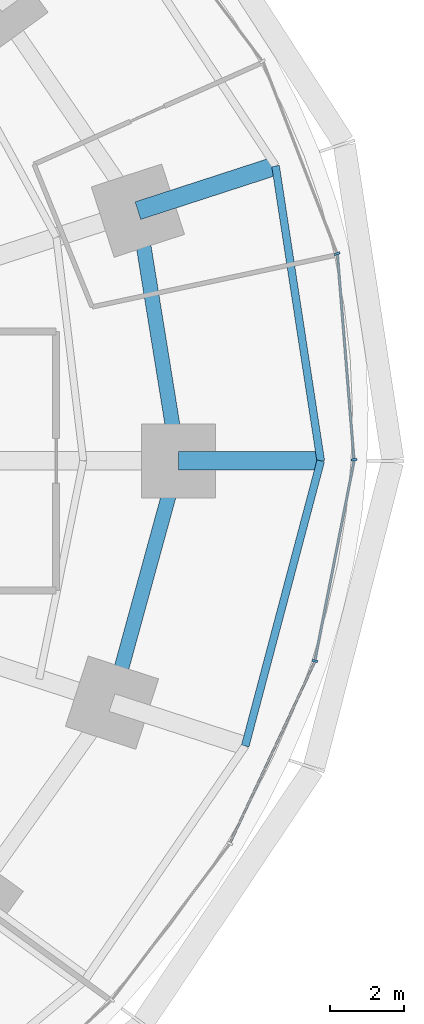
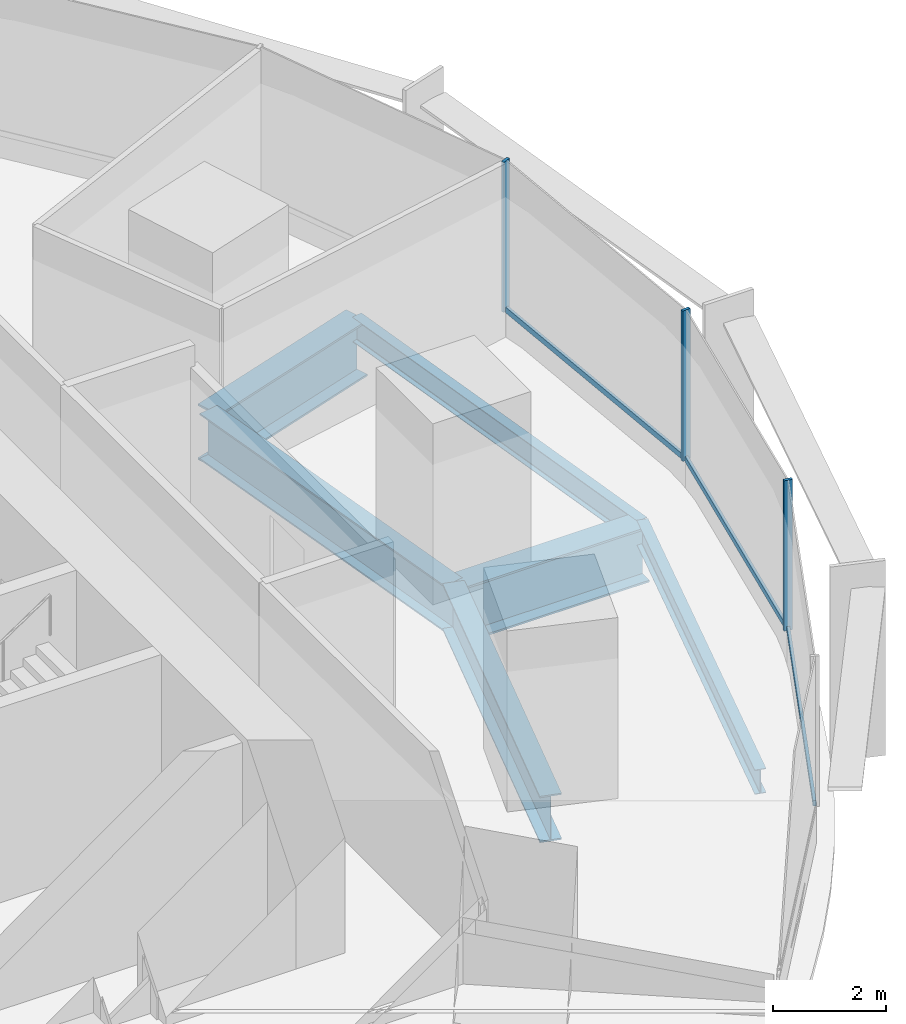
# One storey, part 6 of 15: 6 beams, 6 members, 2 elements without a shape of their own.
"""IFC4 building model written with IfcOpenShell, lengths in metres."""

from ifc_helpers import new_model, si_unit, direction, frame, origin, origin_2d, place, context, subcontext, project, spatial, rectangle, i_section, extrude, material, material_profile, profile_set, type_object, element, aggregate, save


model = new_model("IFC4")

# Units and contexts
model_context = context("Model", 3, precision=1e-05, world=origin(), true_north=direction((0.0, 1.0)))
body_context = subcontext(model_context, "Body", "Model", "MODEL_VIEW")
ifc_project = project(units=[si_unit("LENGTHUNIT", "METRE"), si_unit("AREAUNIT", "SQUARE_METRE"), si_unit("VOLUMEUNIT", "CUBIC_METRE"), si_unit("PLANEANGLEUNIT", "RADIAN"), si_unit("MASSUNIT", "GRAM", prefix="KILO")], contexts=[model_context])

# Site, building, storey
site_placement = place(None, origin())
site = spatial("IfcSite", under=ifc_project, at=site_placement, CompositionType="ELEMENT")
building_placement = place(site_placement, origin())
building = spatial("IfcBuilding", under=site, at=building_placement, Name="Marramba Exchange Tower", CompositionType="ELEMENT")
storey_placement = place(building_placement, frame((0.0, 0.0, 70.0)))
storey = spatial("IfcBuildingStorey", under=building, at=storey_placement, Name="L16", CompositionType="ELEMENT", Elevation=70.0)

# Beams
ifc_material_1 = material(Name="Steel AS/NZS 3679.2 grade 300", Category="steel")
ifc_material_profile_1 = material_profile(ifc_material_1, i_section(OverallWidth=0.5, OverallDepth=1.199951171875, WebThickness=0.01611328125, FlangeThickness=0.0400390625, at=origin_2d()), Name="1200WB455")
ifc_profile_set_1 = profile_set([ifc_material_profile_1], Name="Steel AS/NZS 3679.2 grade 300")
beam_type_1 = type_object("IfcBeamType", Name="Cantilever girder 1200WB455", PredefinedType="BEAM", material=ifc_profile_set_1)
beam_1_placement = place(storey_placement, frame((21.89990234375, 0.0, -0.760009765625), z_axis=(1.0, 0.0, 0.0), x_axis=(0.0, 1.0, 0.0)))
element("IfcBeam", 1, at=beam_1_placement, inside=storey, type_object=beam_type_1, Name="Cantilever girder L16 TC01", PredefinedType="BEAM", context=body_context, shape_type="SweptSolid", body=[
    extrude(i_section(OverallWidth=0.5, OverallDepth=1.199951171875, WebThickness=0.01611328125, FlangeThickness=0.0400390625, at=origin_2d()), origin(), (0.0, 0.0, 1.0), 3.85009765625),
])
beam_2_placement = place(storey_placement, frame((20.808349609375, 6.760986328125, -0.760009765625), z_axis=(0.951058833549, 0.309009862508, 0.0), x_axis=(-0.309009862508, 0.951058833549, 0.0)))
element("IfcBeam", 2, at=beam_2_placement, inside=storey, type_object=beam_type_1, Name="Cantilever girder L16 TC02", PredefinedType="BEAM", context=body_context, shape_type="SweptSolid", body=[
    extrude(i_section(OverallWidth=0.5, OverallDepth=1.199951171875, WebThickness=0.01611328125, FlangeThickness=0.0400390625, at=origin_2d()), origin(), (0.0, 0.0, 1.0), 3.91162109375),
])
ifc_material_profile_2 = material_profile(ifc_material_1, i_section(OverallWidth=0.39990234375, OverallDepth=1.0, WebThickness=0.01611328125, FlangeThickness=0.031982421875, at=origin_2d()), Name="1000WB322")
ifc_profile_set_2 = profile_set([ifc_material_profile_2], Name="Steel AS/NZS 3679.2 grade 300")
beam_type_2 = type_object("IfcBeamType", Name="Ring beam 1000WB322", PredefinedType="SPANDREL", material=ifc_profile_set_2)
beam_3_placement = place(storey_placement, frame((21.89990234375, 0.0, -0.659912109375), z_axis=(-0.159384865399, 0.987216523708, 0.0), x_axis=(-0.987216523708, -0.159384865399, 0.0)))
element("IfcBeam", 3, at=beam_3_placement, inside=storey, type_object=beam_type_2, Name="Ring beam L16 TC01-TC02", PredefinedType="SPANDREL", context=body_context, shape_type="SweptSolid", body=[
    extrude(i_section(OverallWidth=0.39990234375, OverallDepth=1.0, WebThickness=0.01611328125, FlangeThickness=0.031982421875, at=origin_2d()), origin(), (0.0, 0.0, 1.0), 6.8486328125),
])
beam_4_placement = place(storey_placement, frame((20.109375, -6.533935546875, -0.659912109375), z_axis=(0.264291166956, 0.964442937176, 0.0), x_axis=(-0.964442937176, 0.264291166956, 0.0)))
element("IfcBeam", 4, at=beam_4_placement, inside=storey, type_object=beam_type_2, Name="Ring beam L16 TC20-TC01", PredefinedType="SPANDREL", context=body_context, shape_type="SweptSolid", body=[
    extrude(i_section(OverallWidth=0.39990234375, OverallDepth=1.0, WebThickness=0.01611328125, FlangeThickness=0.031982421875, at=origin_2d()), origin(), (0.0, 0.0, 1.0), 6.77490234375),
])
ifc_material_2 = material(Name="Steel AS/NZS 3679.1 grade 300", Category="steel")
ifc_material_profile_3 = material_profile(ifc_material_2, i_section(OverallWidth=0.208984375, OverallDepth=0.528076171875, WebThickness=0.009521484375, FlangeThickness=0.01318359375, FilletRadius=0.013916015625, at=origin_2d()), Name="530UB82.0")
ifc_profile_set_3 = profile_set([ifc_material_profile_3], Name="Steel AS/NZS 3679.1 grade 300")
beam_type_3 = type_object("IfcBeamType", Name="Slab edge beam 530UB82.0", PredefinedType="SPANDREL", material=ifc_profile_set_3)
beam_5_placement = place(storey_placement, frame((25.75, 0.0, -0.424072265625), z_axis=(-0.151490591645, 0.988458699513, 0.0), x_axis=(-0.988458699513, -0.151490591645, 0.0)))
element("IfcBeam", 5, at=beam_5_placement, inside=storey, type_object=beam_type_3, Name="Slab edge beam L16 TC01-TC02", PredefinedType="SPANDREL", context=body_context, shape_type="SweptSolid", body=[
    extrude(i_section(OverallWidth=0.208984375, OverallDepth=0.528076171875, WebThickness=0.009521484375, FlangeThickness=0.01318359375, FilletRadius=0.013916015625, at=origin_2d()), origin(), (0.0, 0.0, 1.0), 8.062744140625),
])
beam_6_placement = place(storey_placement, frame((23.709716796875, -7.703857421875, -0.424072265625), z_axis=(0.25601296674, 0.966673347549, 0.0), x_axis=(-0.966673347549, 0.25601296674, 0.0)))
element("IfcBeam", 6, at=beam_6_placement, inside=storey, type_object=beam_type_3, Name="Slab edge beam L16 TC20-TC01", PredefinedType="SPANDREL", context=body_context, shape_type="SweptSolid", body=[
    extrude(i_section(OverallWidth=0.208984375, OverallDepth=0.528076171875, WebThickness=0.009521484375, FlangeThickness=0.01318359375, FilletRadius=0.013916015625, at=origin_2d()), origin(), (0.0, 0.0, 1.0), 7.969482421875),
])

# Curtain wall, members
ifc_material_3 = material(Name="Aluminium framing, bronze anodised", Category="aluminium")
curtain_wall_type = type_object("IfcCurtainWallType", Name="Trading floor ribbon curtain wall", PredefinedType="USERDEFINED", material=ifc_material_3)
curtain_wall_1_placement = place(storey_placement, origin())
curtain_wall_1 = element("IfcCurtainWall", 7, at=curtain_wall_1_placement, inside=storey, type_object=curtain_wall_type, Name="Curtain wall CW3 L16 F01-F05", ObjectType="RIBBON CURTAIN WALL", PredefinedType="USERDEFINED")
ifc_material_4 = material(Name="Aluminium mullion, bronze anodised", Category="aluminium")
ifc_material_profile_4 = material_profile(ifc_material_4, rectangle(XDim=0.159912109375, YDim=0.06005859375, at=origin_2d()), Name="CW3 mullion 60x160")
ifc_profile_set_4 = profile_set([ifc_material_profile_4], Name="Aluminium mullion, bronze anodised")
member_type_1 = type_object("IfcMemberType", Name="Trading floor ribbon curtain wall mullion", PredefinedType="MULLION", material=ifc_profile_set_4)
member_1_placement = place(storey_placement, frame((26.647705078125, 0.02978515625, 0.800048828125), z_axis=(0.0, 0.0, 1.0), x_axis=(-0.996772736434, -0.080275225953, 0.0)))
member_1 = element("IfcMember", 8, at=member_1_placement, type_object=member_type_1, Name="CW3 mullion 1", PredefinedType="MULLION", context=body_context, shape_type="SweptSolid", body=[
    extrude(rectangle(XDim=0.159912109375, YDim=0.06005859375, at=origin_2d()), origin(), (0.0, 0.0, 1.0), 3.239990234375),
])
member_2_placement = place(storey_placement, frame((26.190673828125, 5.597412109375, 0.800048828125), z_axis=(0.0, 0.0, 1.0), x_axis=(-0.933135256626, -0.359525510698, 0.0)))
member_2 = element("IfcMember", 9, at=member_2_placement, type_object=member_type_1, Name="CW3 mullion 1", PredefinedType="MULLION", context=body_context, shape_type="SweptSolid", body=[
    extrude(rectangle(XDim=0.159912109375, YDim=0.06005859375, at=origin_2d()), origin(), (0.0, 0.0, 1.0), 3.239990234375),
])

# Curtain wall, member
curtain_wall_2_placement = place(storey_placement, origin())
curtain_wall_2 = element("IfcCurtainWall", 10, at=curtain_wall_2_placement, inside=storey, type_object=curtain_wall_type, Name="Curtain wall CW3 L16 F26-F30", ObjectType="RIBBON CURTAIN WALL", PredefinedType="USERDEFINED")
member_3_placement = place(storey_placement, frame((25.59033203125, -5.40869140625, 0.800048828125), z_axis=(0.0, 0.0, 1.0), x_axis=(-0.981346261612, 0.1922485756, 0.0)))
member_3 = element("IfcMember", 11, at=member_3_placement, type_object=member_type_1, Name="CW3 mullion 1", PredefinedType="MULLION", context=body_context, shape_type="SweptSolid", body=[
    extrude(rectangle(XDim=0.159912109375, YDim=0.06005859375, at=origin_2d()), origin(), (0.0, 0.0, 1.0), 3.239990234375),
])

# Member
ifc_material_5 = material(Name="Aluminium transom, bronze anodised", Category="aluminium")
ifc_material_profile_5 = material_profile(ifc_material_5, rectangle(XDim=0.06005859375, YDim=0.1201171875, at=origin_2d()), Name="CW3 transom 60x120")
ifc_profile_set_5 = profile_set([ifc_material_profile_5], Name="Aluminium transom, bronze anodised")
member_type_2 = type_object("IfcMemberType", Name="Trading floor ribbon curtain wall transom", PredefinedType="USERDEFINED", material=ifc_profile_set_5)
member_4_placement = place(storey_placement, frame((26.645263671875, 0.059814453125, 0.830078125), z_axis=(-0.080299960686, 0.99677074411, 0.0), x_axis=(-0.99677074411, -0.080299960686, 0.0)))
member_4 = element("IfcMember", 12, at=member_4_placement, type_object=member_type_2, Name="CW3 sill transom", ObjectType="TRANSOM", PredefinedType="USERDEFINED", context=body_context, shape_type="SweptSolid", body=[
    extrude(rectangle(XDim=0.06005859375, YDim=0.1201171875, at=origin_2d()), origin(), (0.0, 0.0, 1.0), 5.52734375),
])

aggregate(curtain_wall_1, [member_1, member_4, member_2])

member_5_placement = place(storey_placement, frame((23.306640625, -10.31103515625, 0.830078125), z_axis=(0.423511514213, 0.905890720412, 0.0), x_axis=(-0.905890720412, 0.423511514213, 0.0)))
member_5 = element("IfcMember", 13, at=member_5_placement, type_object=member_type_2, Name="CW3 sill transom", ObjectType="TRANSOM", PredefinedType="USERDEFINED", context=body_context, shape_type="SweptSolid", body=[
    extrude(rectangle(XDim=0.06005859375, YDim=0.1201171875, at=origin_2d()), origin(), (0.0, 0.0, 1.0), 5.37890625),
])

member_6_placement = place(storey_placement, frame((25.59619140625, -5.37939453125, 0.830078125), z_axis=(0.192226081646, 0.981350667975, 0.0), x_axis=(-0.981350667975, 0.192226081646, 0.0)))
member_6 = element("IfcMember", 14, at=member_6_placement, type_object=member_type_2, Name="CW3 sill transom", ObjectType="TRANSOM", PredefinedType="USERDEFINED", context=body_context, shape_type="SweptSolid", body=[
    extrude(rectangle(XDim=0.06005859375, YDim=0.1201171875, at=origin_2d()), origin(), (0.0, 0.0, 1.0), 5.481689453125),
])

aggregate(curtain_wall_2, [member_5, member_3, member_6])

save(model, "model.ifc")
